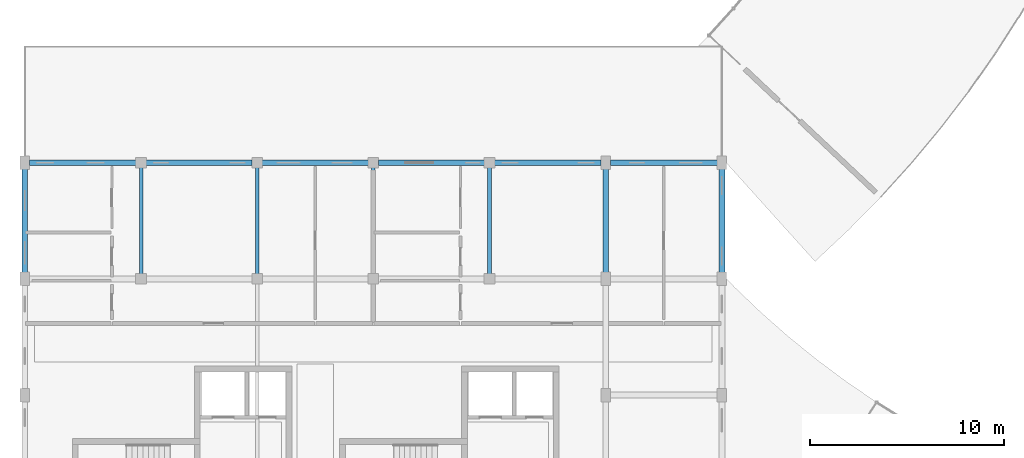
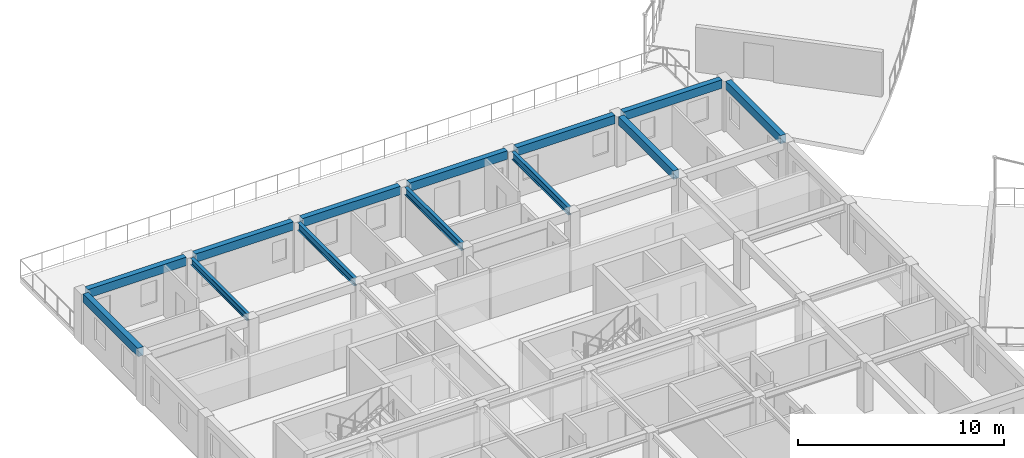
# One storey, part 7 of 58: 13 beams.
"""IFC4 building model written with IfcOpenShell, lengths in metres."""

from ifc_helpers import new_model, si_unit, direction, frame, origin, origin_2d, place, context, subcontext, project, spatial, rectangle, i_section, extrude, material, material_profile, profile_set, type_object, element, save


model = new_model("IFC4")

# Units and contexts
model_context = context("Model", 3, precision=1e-05, world=origin(), true_north=direction((0.0, 1.0)))
body_context = subcontext(model_context, "Body", "Model", "MODEL_VIEW")
ifc_project = project(units=[si_unit("LENGTHUNIT", "METRE"), si_unit("AREAUNIT", "SQUARE_METRE"), si_unit("VOLUMEUNIT", "CUBIC_METRE"), si_unit("PLANEANGLEUNIT", "RADIAN"), si_unit("MASSUNIT", "GRAM", prefix="KILO"), si_unit("POWERUNIT", "WATT"), si_unit("THERMODYNAMICTEMPERATUREUNIT", "KELVIN")], contexts=[model_context])

# Site, building, storey
site_placement = place(None, origin())
site = spatial("IfcSite", under=ifc_project, at=site_placement, CompositionType="ELEMENT")
building_placement = place(site_placement, origin())
building = spatial("IfcBuilding", under=site, at=building_placement, Name="Ruvembo Vaulted Housing Court", CompositionType="ELEMENT")
storey_placement = place(building_placement, frame((0.0, 0.0, 20.5)))
storey = spatial("IfcBuildingStorey", under=building, at=storey_placement, Name="L06", CompositionType="ELEMENT", Elevation=20.5)

# Beams
ifc_material_1 = material(Name="Steel S355J2", Category="steel")
ifc_material_profile_1 = material_profile(ifc_material_1, i_section(OverallWidth=0.179931640625, OverallDepth=0.39990234375, WebThickness=0.008544921875, FlangeThickness=0.013427734375, FilletRadius=0.02099609375, at=origin_2d()), Name="IPE 400")
ifc_profile_set_1 = profile_set([ifc_material_profile_1], Name="Steel S355J2")
beam_type_1 = type_object("IfcBeamType", Name="BM-ST-IPE400", PredefinedType="BEAM", material=ifc_profile_set_1)
beam_1_placement = place(storey_placement, frame((6.0, 30.260009765625, 2.72607421875), z_axis=(0.0, 1.0, 0.0), x_axis=(-1.0, 0.0, 0.0)))
element("IfcBeam", 1, at=beam_1_placement, inside=storey, type_object=beam_type_1, Name="L06 Grid Beam Y #2674", PredefinedType="BEAM", context=body_context, shape_type="SweptSolid", body=[
    extrude(i_section(OverallWidth=0.179931640625, OverallDepth=0.39990234375, WebThickness=0.008544921875, FlangeThickness=0.013427734375, FilletRadius=0.02099609375, at=origin_2d()), origin(), (0.0, 0.0, 1.0), 5.47998046875),
])
ifc_material_profile_2 = material_profile(ifc_material_1, i_section(OverallWidth=0.18994140625, OverallDepth=0.449951171875, WebThickness=0.009521484375, FlangeThickness=0.0146484375, FilletRadius=0.02099609375, at=origin_2d()), Name="IPE 450")
ifc_profile_set_2 = profile_set([ifc_material_profile_2], Name="Steel S355J2")
beam_type_2 = type_object("IfcBeamType", Name="BM-ST-IPE450", PredefinedType="BEAM", material=ifc_profile_set_2)
for number, where, z_axis, x_axis, name in (
    (2, (12.0, 30.260009765625, 2.700927734375), (0.0, 1.0, 0.0), (-1.0, 0.0, 0.0), "L06 Grid Beam Y #2678"),
    (3, (18.0, 30.260009765625, 2.700927734375), (0.0, 1.0, 0.0), (-1.0, 0.0, 0.0), "L06 Grid Beam Y #2681"),
    (4, (24.0, 30.260009765625, 2.700927734375), (0.0, 1.0, 0.0), (-1.0, 0.0, 0.0), "L06 Grid Beam Y #2684"),
):
    element("IfcBeam", number, at=place(storey_placement, frame(where, z_axis=z_axis, x_axis=x_axis)), inside=storey, type_object=beam_type_2, Name=name, PredefinedType="BEAM", context=body_context, shape_type="SweptSolid", body=[
        extrude(i_section(OverallWidth=0.18994140625, OverallDepth=0.449951171875, WebThickness=0.009521484375, FlangeThickness=0.0146484375, FilletRadius=0.02099609375, at=origin_2d()), origin(), (0.0, 0.0, 1.0), 5.47998046875),
    ])
ifc_material_2 = material(Name="Concrete C35/45", Category="concrete")
ifc_material_profile_3 = material_profile(ifc_material_2, rectangle(XDim=0.300048828125, YDim=0.5, at=origin_2d()), Name="RC 300x500")
ifc_profile_set_3 = profile_set([ifc_material_profile_3], Name="Concrete C35/45")
beam_type_3 = type_object("IfcBeamType", Name="SP-RC-300x500", PredefinedType="SPANDREL", material=ifc_profile_set_3)
beam_2_placement = place(storey_placement, frame((0.235107421875, 36.0, 2.719970703125), z_axis=(1.0, 0.0, 0.0), x_axis=(0.0, 1.0, 0.0)))
element("IfcBeam", 5, at=beam_2_placement, inside=storey, type_object=beam_type_3, Name="L06 Grid Beam X #2599", PredefinedType="SPANDREL", context=body_context, shape_type="SweptSolid", body=[
    extrude(rectangle(XDim=0.300048828125, YDim=0.5, at=origin_2d()), origin(), (0.0, 0.0, 1.0), 5.5048828125),
])
for number, where, z_axis, x_axis, name in (
    (6, (6.260009765625, 36.0, 2.719970703125), (1.0, 0.0, 0.0), (0.0, 1.0, 0.0), "L06 Grid Beam X #2600"),
    (7, (12.260009765625, 36.0, 2.719970703125), (1.0, 0.0, 0.0), (0.0, 1.0, 0.0), "L06 Grid Beam X #2601"),
    (8, (18.260009765625, 36.0, 2.719970703125), (1.0, 0.0, 0.0), (0.0, 1.0, 0.0), "L06 Grid Beam X #2602"),
):
    element("IfcBeam", number, at=place(storey_placement, frame(where, z_axis=z_axis, x_axis=x_axis)), inside=storey, type_object=beam_type_3, Name=name, PredefinedType="SPANDREL", context=body_context, shape_type="SweptSolid", body=[
        extrude(rectangle(XDim=0.300048828125, YDim=0.5, at=origin_2d()), origin(), (0.0, 0.0, 1.0), 5.47998046875),
    ])
beam_3_placement = place(storey_placement, frame((24.260009765625, 36.0, 2.719970703125), z_axis=(1.0, 0.0, 0.0), x_axis=(0.0, 1.0, 0.0)))
element("IfcBeam", 9, at=beam_3_placement, inside=storey, type_object=beam_type_3, Name="L06 Grid Beam X #2603", PredefinedType="SPANDREL", context=body_context, shape_type="SweptSolid", body=[
    extrude(rectangle(XDim=0.300048828125, YDim=0.5, at=origin_2d()), origin(), (0.0, 0.0, 1.0), 5.5048828125),
])
beam_4_placement = place(storey_placement, frame((30.235107421875, 36.0, 2.719970703125), z_axis=(1.0, 0.0, 0.0), x_axis=(0.0, 1.0, 0.0)))
element("IfcBeam", 10, at=beam_4_placement, inside=storey, type_object=beam_type_3, Name="L06 Grid Beam X #2604", PredefinedType="SPANDREL", context=body_context, shape_type="SweptSolid", body=[
    extrude(rectangle(XDim=0.300048828125, YDim=0.5, at=origin_2d()), origin(), (0.0, 0.0, 1.0), 5.52978515625),
])
for number, where, z_axis, x_axis, name in (
    (11, (0.0, 30.3349609375, 2.719970703125), (0.0, 1.0, 0.0), (-1.0, 0.0, 0.0), "L06 Grid Beam Y #2671"),
    (12, (30.0, 30.3349609375, 2.719970703125), (0.0, 1.0, 0.0), (-1.0, 0.0, 0.0), "L06 Grid Beam Y #2689"),
    (13, (36.0, 30.3349609375, 2.719970703125), (0.0, 1.0, 0.0), (-1.0, 0.0, 0.0), "L06 Grid Beam Y #2694"),
):
    element("IfcBeam", number, at=place(storey_placement, frame(where, z_axis=z_axis, x_axis=x_axis)), inside=storey, type_object=beam_type_3, Name=name, PredefinedType="SPANDREL", context=body_context, shape_type="SweptSolid", body=[
        extrude(rectangle(XDim=0.300048828125, YDim=0.5, at=origin_2d()), origin(), (0.0, 0.0, 1.0), 5.330078125),
    ])

save(model, "model.ifc")
